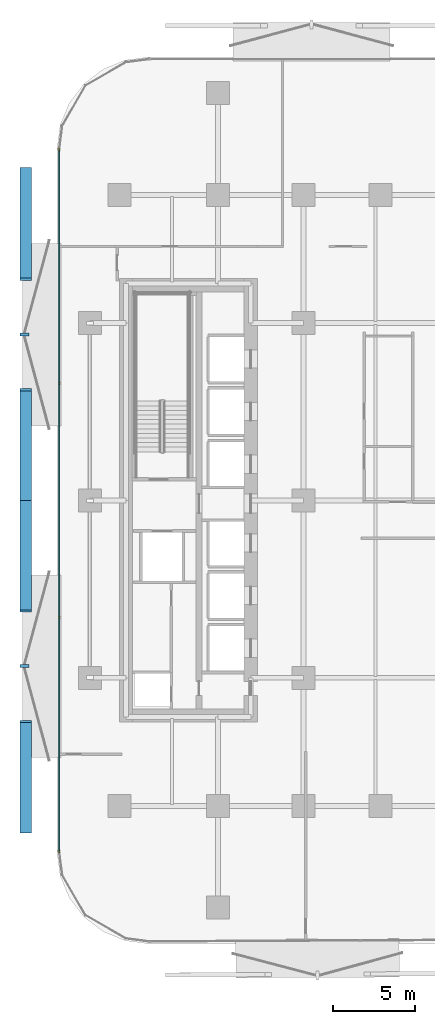
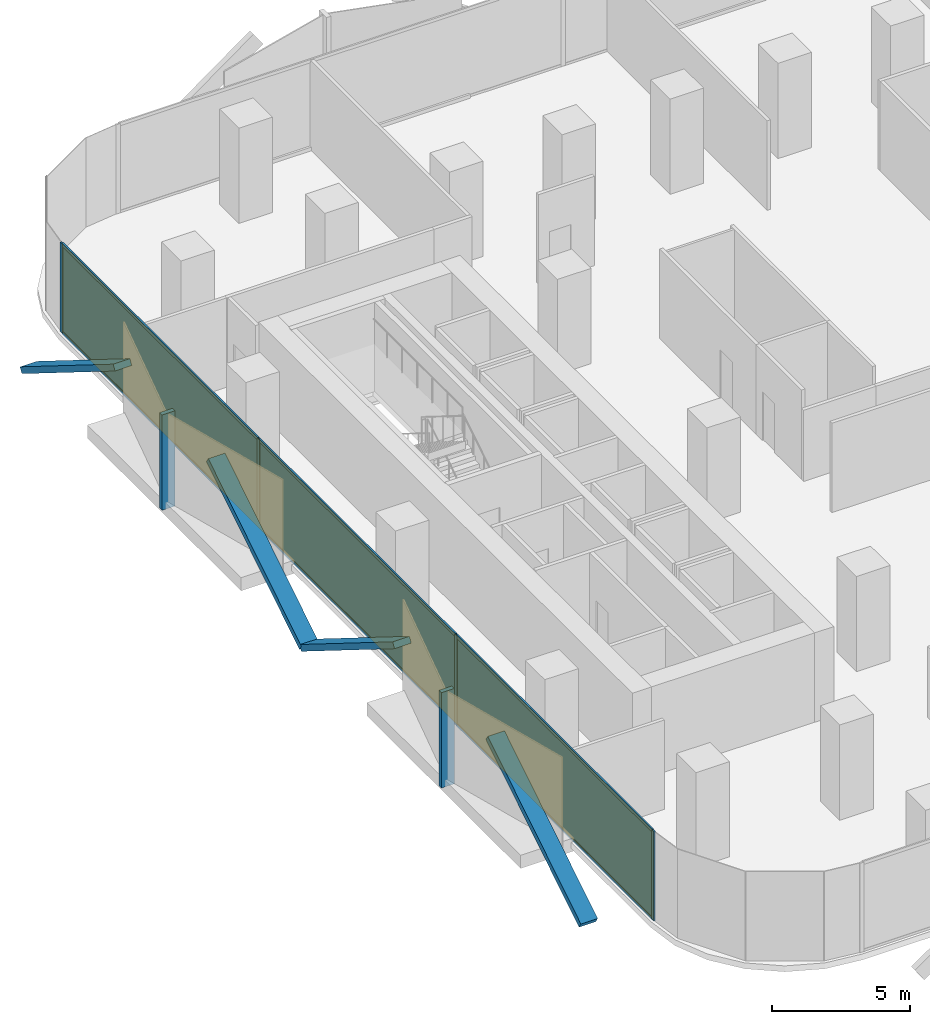
# One storey, part 8 of 15: 16 members, 3 plates, 1 curtain wall.
"""IFC4 building model written with IfcOpenShell, lengths in metres."""

from ifc_helpers import new_model, si_unit, direction, frame, frame_2d, origin, origin_2d, place, context, subcontext, project, spatial, rectangle, extrude, material, layer, layer_set, material_profile, profile_set, type_object, element, aggregate, save


model = new_model("IFC4")

# Units and contexts
model_context = context("Model", 3, precision=1e-05, world=origin(), true_north=direction((0.0, 1.0)))
body_context = subcontext(model_context, "Body", "Model", "MODEL_VIEW")
ifc_project = project(units=[si_unit("LENGTHUNIT", "METRE"), si_unit("AREAUNIT", "SQUARE_METRE"), si_unit("VOLUMEUNIT", "CUBIC_METRE"), si_unit("PLANEANGLEUNIT", "RADIAN"), si_unit("MASSUNIT", "GRAM", prefix="KILO")], contexts=[model_context])

# Member
ifc_material_1 = material(Name="Anodised Bronze Aluminium 6063-T6", Category="aluminium")
ifc_material_profile_1 = material_profile(ifc_material_1, rectangle(XDim=0.260009765625, YDim=0.699951171875, at=origin_2d()))
ifc_profile_set_1 = profile_set([ifc_material_profile_1], Name="Anodised Bronze Aluminium 6063-T6")
member_type_1 = type_object("IfcMemberType", Name="Bronze Diamond Solar-Screen Lattice Rib BDL-700", PredefinedType="MULLION", material=ifc_profile_set_1)
site_placement = place(None, origin())
building_placement = place(site_placement, origin())
storey_placement = place(building_placement, frame((0.0, 0.0, 51.199951171875)))
member_1_placement = place(storey_placement, frame((-26.10009765625, -20.19091796875, -0.1298828125), z_axis=(0.0, 0.848371528126, 0.529401313057), x_axis=(0.0, -0.529401313057, 0.848371528126)))
member_1 = element("IfcMember", 1, at=member_1_placement, type_object=member_type_1, Name="L12 Bronze Diamond Solar Screen Lattice Rib 51A", PredefinedType="MULLION", context=body_context, shape_type="SweptSolid", body=[
    extrude(rectangle(XDim=0.260009765625, YDim=0.699951171875, at=origin_2d()), origin(), (0.0, 0.0, 1.0), 7.933349609375),
])

member_2_placement = place(storey_placement, frame((-26.10009765625, 0.0, -0.1298828125), z_axis=(0.0, -0.848362902952, 0.529415134744), x_axis=(0.0, 0.529415134744, 0.848362902952)))
member_2 = element("IfcMember", 2, at=member_2_placement, type_object=member_type_1, Name="L12 Bronze Diamond Solar Screen Lattice Rib 51B", PredefinedType="MULLION", context=body_context, shape_type="SweptSolid", body=[
    extrude(rectangle(XDim=0.260009765625, YDim=0.699951171875, at=origin_2d()), origin(), (0.0, 0.0, 1.0), 7.93310546875),
])

member_3_placement = place(storey_placement, frame((-26.10009765625, 0.0, -0.1298828125), z_axis=(0.0, 0.848362902952, 0.529415134744), x_axis=(0.0, -0.529415134744, 0.848362902952)))
member_3 = element("IfcMember", 3, at=member_3_placement, type_object=member_type_1, Name="L12 Bronze Diamond Solar Screen Lattice Rib 52A", PredefinedType="MULLION", context=body_context, shape_type="SweptSolid", body=[
    extrude(rectangle(XDim=0.260009765625, YDim=0.699951171875, at=origin_2d()), origin(), (0.0, 0.0, 1.0), 7.93310546875),
])

member_4_placement = place(storey_placement, frame((-26.10009765625, 20.19091796875, -0.1298828125), z_axis=(0.0, -0.848371528126, 0.529401313057), x_axis=(0.0, 0.529401313057, 0.848371528126)))
member_4 = element("IfcMember", 4, at=member_4_placement, type_object=member_type_1, Name="L12 Bronze Diamond Solar Screen Lattice Rib 52B", PredefinedType="MULLION", context=body_context, shape_type="SweptSolid", body=[
    extrude(rectangle(XDim=0.260009765625, YDim=0.699951171875, at=origin_2d()), origin(), (0.0, 0.0, 1.0), 7.933349609375),
])

ifc_material_2 = material(Name="Anodised Bronze Aluminium 6063-T6", Category="aluminium")
ifc_material_profile_2 = material_profile(ifc_material_2, rectangle(XDim=0.179931640625, YDim=0.5400390625, at=origin_2d()))
ifc_profile_set_2 = profile_set([ifc_material_profile_2], Name="Anodised Bronze Aluminium 6063-T6")
member_type_2 = type_object("IfcMemberType", Name="Bronze Solar-Screen Vertical Fold Fin BSF-540", PredefinedType="MULLION", material=ifc_profile_set_2)
member_5_placement = place(storey_placement, frame((-26.179931640625, -10.095458984375, -0.1298828125), z_axis=(0.0, 0.0, 1.0), x_axis=(0.0, 1.0, 0.0)))
member_5 = element("IfcMember", 5, at=member_5_placement, type_object=member_type_2, Name="L12 Bronze Solar Screen Vertical Fin 51", PredefinedType="MULLION", context=body_context, shape_type="SweptSolid", body=[
    extrude(rectangle(XDim=0.179931640625, YDim=0.5400390625, at=origin_2d()), origin(), (0.0, 0.0, 1.0), 4.199951171875),
])

member_6_placement = place(storey_placement, frame((-26.179931640625, 10.095458984375, -0.1298828125), z_axis=(0.0, 0.0, 1.0), x_axis=(0.0, 1.0, 0.0)))
member_6 = element("IfcMember", 6, at=member_6_placement, type_object=member_type_2, Name="L12 Bronze Solar Screen Vertical Fin 52", PredefinedType="MULLION", context=body_context, shape_type="SweptSolid", body=[
    extrude(rectangle(XDim=0.179931640625, YDim=0.5400390625, at=origin_2d()), origin(), (0.0, 0.0, 1.0), 4.199951171875),
])

ifc_material_3 = material(Name="Anodised Bronze Aluminium 6063-T6", Category="aluminium")
ifc_material_profile_3 = material_profile(ifc_material_3, rectangle(XDim=0.06494140625, YDim=0.179931640625, at=origin_2d()))
ifc_profile_set_3 = profile_set([ifc_material_profile_3], Name="Anodised Bronze Aluminium 6063-T6")
member_type_3 = type_object("IfcMemberType", Name="CW-Z1 Mullion 65x180", PredefinedType="MULLION", material=ifc_profile_set_3)
member_7_placement = place(storey_placement, frame((-24.06005859375, -21.3583984375, 0.0), z_axis=(0.0, 0.0, 1.0), x_axis=(-1.0, 0.0, 0.0)))
member_7 = element("IfcMember", 7, at=member_7_placement, type_object=member_type_3, Name="CW-Z1 mullion 1", PredefinedType="MULLION", context=body_context, shape_type="SweptSolid", body=[
    extrude(rectangle(XDim=0.06494140625, YDim=0.179931640625, at=origin_2d()), origin(), (0.0, 0.0, 1.0), 3.93994140625),
])

member_8_placement = place(storey_placement, frame((-24.06005859375, -7.13037109375, 0.0), z_axis=(0.0, 0.0, 1.0), x_axis=(-1.0, 0.0, 0.0)))
member_8 = element("IfcMember", 8, at=member_8_placement, type_object=member_type_3, Name="CW-Z1 mullion 2", PredefinedType="MULLION", context=body_context, shape_type="SweptSolid", body=[
    extrude(rectangle(XDim=0.06494140625, YDim=0.179931640625, at=origin_2d()), origin(), (0.0, 0.0, 1.0), 3.93994140625),
])

member_9_placement = place(storey_placement, frame((-24.06005859375, 7.13037109375, 0.0), z_axis=(0.0, 0.0, 1.0), x_axis=(-1.0, 0.0, 0.0)))
member_9 = element("IfcMember", 9, at=member_9_placement, type_object=member_type_3, Name="CW-Z1 mullion 3", PredefinedType="MULLION", context=body_context, shape_type="SweptSolid", body=[
    extrude(rectangle(XDim=0.06494140625, YDim=0.179931640625, at=origin_2d()), origin(), (0.0, 0.0, 1.0), 3.93994140625),
])

member_10_placement = place(storey_placement, frame((-24.06005859375, 21.3583984375, 0.0), z_axis=(0.0, 0.0, 1.0), x_axis=(-1.0, 0.0, 0.0)))
member_10 = element("IfcMember", 10, at=member_10_placement, type_object=member_type_3, Name="CW-Z1 mullion 4", PredefinedType="MULLION", context=body_context, shape_type="SweptSolid", body=[
    extrude(rectangle(XDim=0.06494140625, YDim=0.179931640625, at=origin_2d()), origin(), (0.0, 0.0, 1.0), 3.93994140625),
])

ifc_material_4 = material(Name="Anodised Bronze Aluminium 6063-T6", Category="aluminium")
ifc_material_profile_4 = material_profile(ifc_material_4, rectangle(XDim=0.06494140625, YDim=0.139892578125, at=origin_2d()))
ifc_profile_set_4 = profile_set([ifc_material_profile_4], Name="Anodised Bronze Aluminium 6063-T6")
member_type_4 = type_object("IfcMemberType", Name="CW-Z1 Transom 65x140", PredefinedType="USERDEFINED", material=ifc_profile_set_4)
member_11_placement = place(storey_placement, frame((-24.06005859375, -21.32568359375, 0.032470703125), z_axis=(0.0, 1.0, 0.0), x_axis=(-1.0, 0.0, 0.0)))
member_11 = element("IfcMember", 11, at=member_11_placement, type_object=member_type_4, Name="CW-Z1 transom 1.1", ObjectType="TRANSOM", PredefinedType="USERDEFINED", context=body_context, shape_type="SweptSolid", body=[
    extrude(rectangle(XDim=0.06494140625, YDim=0.139892578125, at=origin_2d()), origin(), (0.0, 0.0, 1.0), 14.162841796875),
])

member_12_placement = place(storey_placement, frame((-24.06005859375, -21.32568359375, 3.907470703125), z_axis=(0.0, 1.0, 0.0), x_axis=(-1.0, 0.0, 0.0)))
member_12 = element("IfcMember", 12, at=member_12_placement, type_object=member_type_4, Name="CW-Z1 transom 1.2", ObjectType="TRANSOM", PredefinedType="USERDEFINED", context=body_context, shape_type="SweptSolid", body=[
    extrude(rectangle(XDim=0.06494140625, YDim=0.139892578125, at=origin_2d()), origin(), (0.0, 0.0, 1.0), 14.162841796875),
])

member_13_placement = place(storey_placement, frame((-24.06005859375, -7.09765625, 0.032470703125), z_axis=(0.0, 1.0, 0.0), x_axis=(-1.0, 0.0, 0.0)))
member_13 = element("IfcMember", 13, at=member_13_placement, type_object=member_type_4, Name="CW-Z1 transom 2.1", ObjectType="TRANSOM", PredefinedType="USERDEFINED", context=body_context, shape_type="SweptSolid", body=[
    extrude(rectangle(XDim=0.06494140625, YDim=0.139892578125, at=origin_2d()), origin(), (0.0, 0.0, 1.0), 14.1953125),
])

member_14_placement = place(storey_placement, frame((-24.06005859375, -7.09765625, 3.907470703125), z_axis=(0.0, 1.0, 0.0), x_axis=(-1.0, 0.0, 0.0)))
member_14 = element("IfcMember", 14, at=member_14_placement, type_object=member_type_4, Name="CW-Z1 transom 2.2", ObjectType="TRANSOM", PredefinedType="USERDEFINED", context=body_context, shape_type="SweptSolid", body=[
    extrude(rectangle(XDim=0.06494140625, YDim=0.139892578125, at=origin_2d()), origin(), (0.0, 0.0, 1.0), 14.1953125),
])

member_15_placement = place(storey_placement, frame((-24.06005859375, 7.162841796875, 0.032470703125), z_axis=(0.0, 1.0, 0.0), x_axis=(-1.0, 0.0, 0.0)))
member_15 = element("IfcMember", 15, at=member_15_placement, type_object=member_type_4, Name="CW-Z1 transom 3.1", ObjectType="TRANSOM", PredefinedType="USERDEFINED", context=body_context, shape_type="SweptSolid", body=[
    extrude(rectangle(XDim=0.06494140625, YDim=0.139892578125, at=origin_2d()), origin(), (0.0, 0.0, 1.0), 14.162841796875),
])

member_16_placement = place(storey_placement, frame((-24.06005859375, 7.162841796875, 3.907470703125), z_axis=(0.0, 1.0, 0.0), x_axis=(-1.0, 0.0, 0.0)))
member_16 = element("IfcMember", 16, at=member_16_placement, type_object=member_type_4, Name="CW-Z1 transom 3.2", ObjectType="TRANSOM", PredefinedType="USERDEFINED", context=body_context, shape_type="SweptSolid", body=[
    extrude(rectangle(XDim=0.06494140625, YDim=0.139892578125, at=origin_2d()), origin(), (0.0, 0.0, 1.0), 14.162841796875),
])

# Plate
ifc_material_5 = material(Name="Low-E Solar Control Laminated Glass", Category="glass")
ifc_layer_1 = layer(ifc_material_5, 0.028076171875, Name="Low-E Solar Control Laminated Glass")
ifc_layer_set_1 = layer_set([ifc_layer_1], Name="Low-E Solar Control Laminated Glass")
plate_type = type_object("IfcPlateType", Name="CW-Z1 Low-E Double Glazed Panel 28mm", PredefinedType="CURTAIN_PANEL", material=ifc_layer_set_1)
plate_1_placement = place(storey_placement, frame((-24.06005859375, -14.244384765625, 0.06494140625), z_axis=(0.0, 0.0, 1.0), x_axis=(0.0, 1.0, 0.0)))
plate_1 = element("IfcPlate", 17, at=plate_1_placement, type_object=plate_type, Name="CW-Z1 panel 1.1", PredefinedType="CURTAIN_PANEL", context=body_context, shape_type="SweptSolid", body=[
    extrude(rectangle(XDim=14.1630859375, YDim=0.028076171875, at=origin_2d()), origin(), (0.0, 0.0, 1.0), 3.81005859375),
])

plate_2_placement = place(storey_placement, frame((-24.06005859375, 0.0, 0.06494140625), z_axis=(0.0, 0.0, 1.0), x_axis=(0.0, 1.0, 0.0)))
plate_2 = element("IfcPlate", 18, at=plate_2_placement, type_object=plate_type, Name="CW-Z1 panel 2.1", PredefinedType="CURTAIN_PANEL", context=body_context, shape_type="SweptSolid", body=[
    extrude(rectangle(XDim=14.195556640625, YDim=0.028076171875, at=origin_2d()), origin(), (0.0, 0.0, 1.0), 3.81005859375),
])

plate_3_placement = place(storey_placement, frame((-24.06005859375, 14.244384765625, 0.06494140625), z_axis=(0.0, 0.0, 1.0), x_axis=(0.0, 1.0, 0.0)))
plate_3 = element("IfcPlate", 19, at=plate_3_placement, type_object=plate_type, Name="CW-Z1 panel 3.1", PredefinedType="CURTAIN_PANEL", context=body_context, shape_type="SweptSolid", body=[
    extrude(rectangle(XDim=14.1630859375, YDim=0.028076171875, at=origin_2d()), origin(), (0.0, 0.0, 1.0), 3.81005859375),
])

# Site, building, storey
site = spatial("IfcSite", under=ifc_project, at=site_placement, CompositionType="ELEMENT")
building = spatial("IfcBuilding", under=site, at=building_placement, Name="Khairoan Windgate Tower", CompositionType="ELEMENT")
storey = spatial("IfcBuildingStorey", under=building, at=storey_placement, Name="L12", CompositionType="ELEMENT", Elevation=51.199951171875)

# Curtain wall
ifc_material_6 = material(Name="Anodised Bronze Aluminium 6063-T6", Category="aluminium")
ifc_layer_2 = layer(ifc_material_6, 0.179931640625, Name="Anodised Bronze Aluminium 6063-T6")
ifc_layer_set_2 = layer_set([ifc_layer_2], Name="Anodised Bronze Aluminium 6063-T6")
curtain_wall_type = type_object("IfcCurtainWallType", Name="Low-Rise Office Unitised Curtain Wall CW-Z1", PredefinedType="NOTDEFINED", material=ifc_layer_set_2)
curtain_wall_placement = place(storey_placement, frame((-24.06005859375, -21.390869140625, 0.0), z_axis=(0.0, 0.0, 1.0), x_axis=(0.0, 1.0, 0.0)))
curtain_wall = element("IfcCurtainWall", 20, at=curtain_wall_placement, inside=storey, type_object=curtain_wall_type, Name="L12 Unitised Curtain Wall 6", PredefinedType="NOTDEFINED", context=body_context, shape_type="SweptSolid", body=[
    extrude(rectangle(XDim=42.78173828125, YDim=0.010009765625, at=frame_2d((21.390869140625, 0.0))), origin(), (0.0, 0.0, 1.0), 3.93994140625),
])

aggregate(curtain_wall, [member_7, member_8, member_9, member_10, member_11, member_12, plate_1, member_13, member_14, plate_2, member_15, member_16, plate_3, member_1, member_2, member_5, member_3, member_4, member_6])

save(model, "model.ifc")
